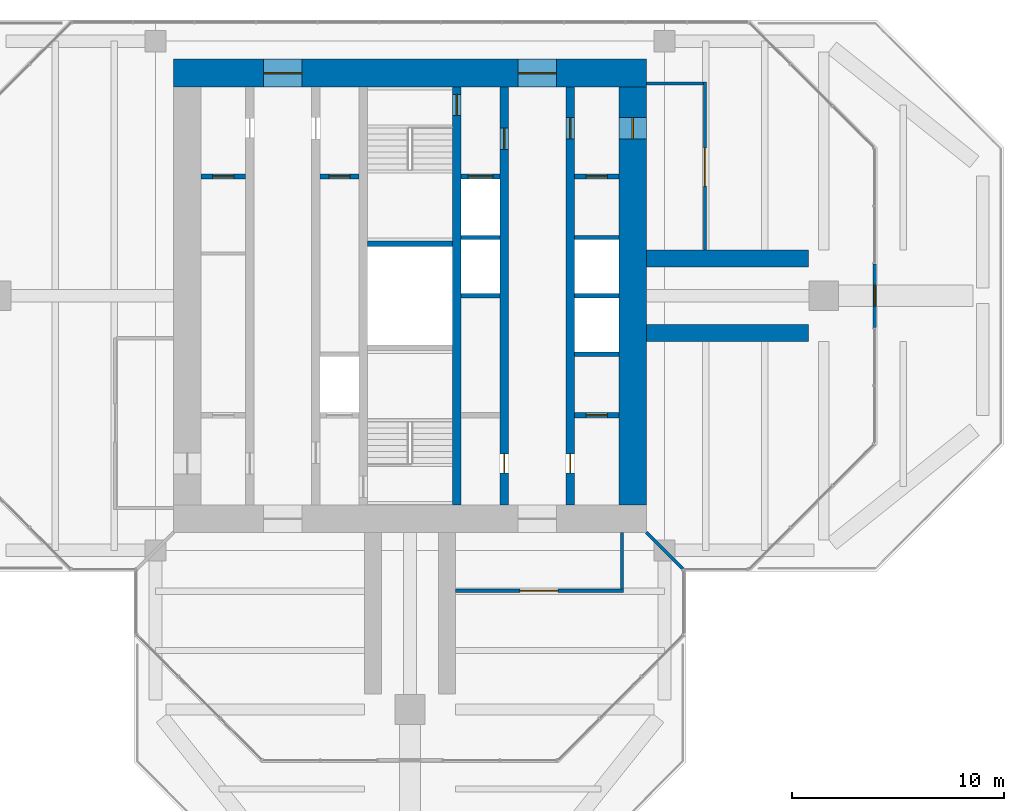
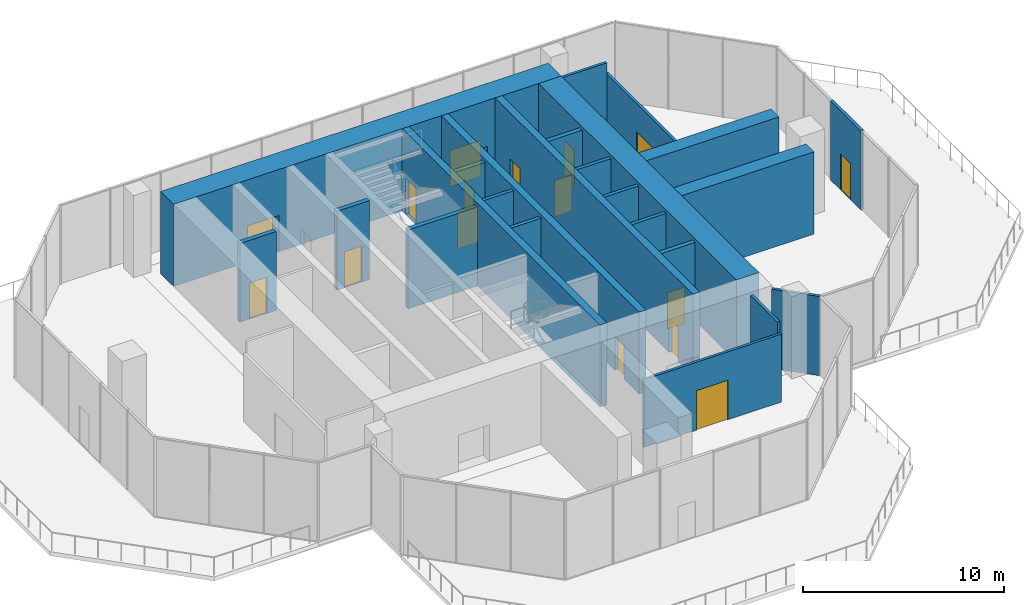
# One storey, part 10 of 13: 24 walls, 16 doors, 16 openings.
"""IFC4 building model written with IfcOpenShell, lengths in metres."""

from ifc_helpers import new_model, si_unit, direction, frame, frame_2d, origin, place, context, subcontext, project, spatial, rectangle, extrude, material, layer, layer_set, type_object, element, fill, save


model = new_model("IFC4")

# Units and contexts
model_context = context("Model", 3, precision=1e-05, world=origin(), true_north=direction((0.0, 1.0)))
body_context = subcontext(model_context, "Body", "Model", "MODEL_VIEW")
ifc_project = project(units=[si_unit("LENGTHUNIT", "METRE"), si_unit("AREAUNIT", "SQUARE_METRE"), si_unit("VOLUMEUNIT", "CUBIC_METRE"), si_unit("PLANEANGLEUNIT", "RADIAN"), si_unit("MASSUNIT", "GRAM", prefix="KILO")], contexts=[model_context])

# Site, building, storey
site_placement = place(None, origin())
site = spatial("IfcSite", under=ifc_project, at=site_placement, CompositionType="ELEMENT")
building_placement = place(site_placement, origin())
building = spatial("IfcBuilding", under=site, at=building_placement, Name="Mizan Broadcast Tower", CompositionType="ELEMENT")
storey_placement = place(building_placement, frame((0.0, 0.0, 306.300048828125)))
storey = spatial("IfcBuildingStorey", under=building, at=storey_placement, Name="L73", CompositionType="ELEMENT", Elevation=306.300048828125)

# Wall, openings, doors
ifc_material_1 = material(Name="Concrete C70/85", Category="concrete")
ifc_layer_1 = layer(ifc_material_1, 0.39990234375)
ifc_layer_set_1 = layer_set([ifc_layer_1], Name="Concrete C70/85")
wall_type_1 = type_object("IfcWallType", Name="CORE INTERNAL WALL 400", PredefinedType="SHEAR", material=ifc_layer_set_1)
wall_1_placement = place(storey_placement, frame((7.550048828125, 9.85009765625, 0.0), z_axis=(0.0, 0.0, 1.0), x_axis=(0.0, -1.0, 0.0)))
wall_1 = element("IfcWall", 1, at=wall_1_placement, inside=storey, type_object=wall_type_1, Name="Core wall CORE/XW1E", PredefinedType="SHEAR", context=body_context, shape_type="SweptSolid", body=[
    extrude(rectangle(XDim=19.7001953125, YDim=0.39990234375, at=frame_2d((9.85009765625, 0.0))), origin(), (0.0, 0.0, 1.0), 5.0),
])
opening_1_placement = place(wall_1_placement, frame((1.449951171875, 0.0, 0.0)))
opening_1 = element("IfcOpeningElement", 2, at=opening_1_placement, cuts=wall_1, Name="Opening D10F", PredefinedType="OPENING", context=body_context, shape_type="SweptSolid", body=[
    extrude(rectangle(XDim=1.0, YDim=2.199951171875, at=frame_2d((0.5, 1.10009765625))), frame((0.0, 0.2099609375, 0.0), z_axis=(0.0, -1.0, 0.0), x_axis=(1.0, 0.0, 0.0)), (0.0, 0.0, 1.0), 0.419921875),
])
opening_2_placement = place(wall_1_placement, frame((17.300048828125, 0.0, 0.0)))
opening_2 = element("IfcOpeningElement", 3, at=opening_2_placement, cuts=wall_1, Name="Opening D09", PredefinedType="OPENING", context=body_context, shape_type="SweptSolid", body=[
    extrude(rectangle(XDim=0.89990234375, YDim=2.10009765625, at=frame_2d((0.449951171875, 1.050048828125))), frame((0.0, 0.2099609375, 0.0), z_axis=(0.0, -1.0, 0.0), x_axis=(1.0, 0.0, 0.0)), (0.0, 0.0, 1.0), 0.419921875),
])
ifc_material_2 = material(Name="Steel door leaf in steel frame", Category="steel")
door_type_1 = type_object("IfcDoorType", Name="FIRE DOOR 1000 FD90", OperationType="SINGLE_SWING_LEFT", PredefinedType="DOOR", material=ifc_material_2)
door_1_placement = place(opening_1_placement, origin())
door_1 = element("IfcDoor", 4, at=door_1_placement, inside=storey, type_object=door_type_1, Name="East core passage door", OperationType="SINGLE_SWING_LEFT", OverallHeight=2.199951171875, OverallWidth=1.0, PredefinedType="DOOR", context=body_context, shape_type="SweptSolid", body=[
    extrude(rectangle(XDim=1.0, YDim=2.199951171875, at=frame_2d((0.5, 1.10009765625))), frame((0.0, 0.02490234375, 0.0), z_axis=(0.0, -1.0, 0.0), x_axis=(1.0, 0.0, 0.0)), (0.0, 0.0, 1.0), 0.050048828125),
])
fill(opening_1, door_1)
ifc_material_3 = material(Name="Timber door leaf in aluminium frame", Category="wood")
door_type_2 = type_object("IfcDoorType", Name="TOILET DOOR 900", OperationType="SINGLE_SWING_LEFT", PredefinedType="DOOR", material=ifc_material_3)
door_2_placement = place(opening_2_placement, origin())
door_2 = element("IfcDoor", 5, at=door_2_placement, inside=storey, type_object=door_type_2, Name="Female WC door", OperationType="SINGLE_SWING_RIGHT", OverallHeight=2.10009765625, OverallWidth=0.89990234375, PredefinedType="DOOR", context=body_context, shape_type="SweptSolid", body=[
    extrude(rectangle(XDim=0.89990234375, YDim=2.10009765625, at=frame_2d((0.449951171875, 1.050048828125))), frame((0.0, 0.02490234375, 0.0), z_axis=(0.0, -1.0, 0.0), x_axis=(1.0, 0.0, 0.0)), (0.0, 0.0, 1.0), 0.050048828125),
])
fill(opening_2, door_2)

wall_2_placement = place(storey_placement, frame((4.449951171875, 9.85009765625, 0.0), z_axis=(0.0, 0.0, 1.0), x_axis=(0.0, -1.0, 0.0)))
wall_2 = element("IfcWall", 6, at=wall_2_placement, inside=storey, type_object=wall_type_1, Name="Core wall CORE/XWHE", PredefinedType="SHEAR", context=body_context, shape_type="SweptSolid", body=[
    extrude(rectangle(XDim=19.7001953125, YDim=0.39990234375, at=frame_2d((9.85009765625, 0.0))), origin(), (0.0, 0.0, 1.0), 5.0),
])
opening_3_placement = place(wall_2_placement, frame((1.949951171875, 0.0, 0.0)))
opening_3 = element("IfcOpeningElement", 7, at=opening_3_placement, cuts=wall_2, Name="Opening D10F", PredefinedType="OPENING", context=body_context, shape_type="SweptSolid", body=[
    extrude(rectangle(XDim=1.0, YDim=2.199951171875, at=frame_2d((0.5, 1.10009765625))), frame((0.0, 0.2099609375, 0.0), z_axis=(0.0, -1.0, 0.0), x_axis=(1.0, 0.0, 0.0)), (0.0, 0.0, 1.0), 0.419921875),
])
opening_4_placement = place(wall_2_placement, frame((17.300048828125, 0.0, 0.0)))
opening_4 = element("IfcOpeningElement", 8, at=opening_4_placement, cuts=wall_2, Name="Opening D09", PredefinedType="OPENING", context=body_context, shape_type="SweptSolid", body=[
    extrude(rectangle(XDim=0.89990234375, YDim=2.10009765625, at=frame_2d((0.449951171875, 1.050048828125))), frame((0.0, 0.2099609375, 0.0), z_axis=(0.0, -1.0, 0.0), x_axis=(1.0, 0.0, 0.0)), (0.0, 0.0, 1.0), 0.419921875),
])
door_3_placement = place(opening_3_placement, origin())
door_3 = element("IfcDoor", 9, at=door_3_placement, inside=storey, type_object=door_type_1, Name="Firefighting lobby B door", OperationType="SINGLE_SWING_LEFT", OverallHeight=2.199951171875, OverallWidth=1.0, PredefinedType="DOOR", context=body_context, shape_type="SweptSolid", body=[
    extrude(rectangle(XDim=1.0, YDim=2.199951171875, at=frame_2d((0.5, 1.10009765625))), frame((0.0, 0.02490234375, 0.0), z_axis=(0.0, -1.0, 0.0), x_axis=(1.0, 0.0, 0.0)), (0.0, 0.0, 1.0), 0.050048828125),
])
fill(opening_3, door_3)
door_4_placement = place(opening_4_placement, origin())
door_4 = element("IfcDoor", 10, at=door_4_placement, inside=storey, type_object=door_type_2, Name="Cleaner's store door", OperationType="SINGLE_SWING_RIGHT", OverallHeight=2.10009765625, OverallWidth=0.89990234375, PredefinedType="DOOR", context=body_context, shape_type="SweptSolid", body=[
    extrude(rectangle(XDim=0.89990234375, YDim=2.10009765625, at=frame_2d((0.449951171875, 1.050048828125))), frame((0.0, 0.02490234375, 0.0), z_axis=(0.0, -1.0, 0.0), x_axis=(1.0, 0.0, 0.0)), (0.0, 0.0, 1.0), 0.050048828125),
])
fill(opening_4, door_4)

# Wall, opening, door
wall_3_placement = place(storey_placement, frame((2.199951171875, 9.85009765625, 0.0), z_axis=(0.0, 0.0, 1.0), x_axis=(0.0, -1.0, 0.0)))
wall_3 = element("IfcWall", 11, at=wall_3_placement, inside=storey, type_object=wall_type_1, Name="Core wall CORE/XW2E", PredefinedType="SHEAR", context=body_context, shape_type="SweptSolid", body=[
    extrude(rectangle(XDim=19.7001953125, YDim=0.39990234375, at=frame_2d((9.85009765625, 0.0))), origin(), (0.0, 0.0, 1.0), 5.0),
])
opening_5_placement = place(wall_3_placement, frame((0.35009765625, 0.0, 0.0)))
opening_5 = element("IfcOpeningElement", 12, at=opening_5_placement, cuts=wall_3, Name="Opening D10S", PredefinedType="OPENING", context=body_context, shape_type="SweptSolid", body=[
    extrude(rectangle(XDim=1.0, YDim=2.199951171875, at=frame_2d((0.5, 1.10009765625))), frame((0.0, 0.2099609375, 0.0), z_axis=(0.0, -1.0, 0.0), x_axis=(1.0, 0.0, 0.0)), (0.0, 0.0, 1.0), 0.419921875),
])
ifc_material_4 = material(Name="Steel door leaf in steel frame", Category="steel")
door_type_3 = type_object("IfcDoorType", Name="STAIR DOOR 1000 FD90S", OperationType="SINGLE_SWING_RIGHT", PredefinedType="DOOR", material=ifc_material_4)
door_5_placement = place(opening_5_placement, origin())
door_5 = element("IfcDoor", 13, at=door_5_placement, inside=storey, type_object=door_type_3, Name="Stair B door", OperationType="SINGLE_SWING_RIGHT", OverallHeight=2.199951171875, OverallWidth=1.0, PredefinedType="DOOR", context=body_context, shape_type="SweptSolid", body=[
    extrude(rectangle(XDim=1.0, YDim=2.199951171875, at=frame_2d((0.5, 1.10009765625))), frame((0.0, 0.02490234375, 0.0), z_axis=(0.0, -1.0, 0.0), x_axis=(1.0, 0.0, 0.0)), (0.0, 0.0, 1.0), 0.050048828125),
])
fill(opening_5, door_5)

# Wall, openings, doors
ifc_material_5 = material(Name="Concrete C70/85", Category="concrete")
ifc_layer_2 = layer(ifc_material_5, 1.300048828125)
ifc_layer_set_2 = layer_set([ifc_layer_2], Name="Concrete C70/85")
wall_type_2 = type_object("IfcWallType", Name="CORE WALL 1300", PredefinedType="SHEAR", material=ifc_layer_set_2)
wall_4_placement = place(storey_placement, frame((-11.14990234375, 10.5, 0.0), z_axis=(0.0, 0.0, 1.0), x_axis=(1.0, 0.0, 0.0)))
wall_4 = element("IfcWall", 14, at=wall_4_placement, inside=storey, type_object=wall_type_2, Name="Core wall N L73", PredefinedType="SHEAR", context=body_context, shape_type="SweptSolid", body=[
    extrude(rectangle(XDim=22.2998046875, YDim=1.300048828125, at=frame_2d((11.14990234375, 0.0))), origin(), (0.0, 0.0, 1.0), 5.0),
])
opening_6_placement = place(wall_4_placement, frame((4.25, 0.0, 0.0)))
opening_6 = element("IfcOpeningElement", 15, at=opening_6_placement, cuts=wall_4, Name="Opening D18F", PredefinedType="OPENING", context=body_context, shape_type="SweptSolid", body=[
    extrude(rectangle(XDim=1.800048828125, YDim=2.199951171875, at=frame_2d((0.89990234375, 1.10009765625))), frame((0.0, 0.659912109375, 0.0), z_axis=(0.0, -1.0, 0.0), x_axis=(1.0, 0.0, 0.0)), (0.0, 0.0, 1.0), 1.320068359375),
])
opening_7_placement = place(wall_4_placement, frame((16.25, 0.0, 0.0)))
opening_7 = element("IfcOpeningElement", 16, at=opening_7_placement, cuts=wall_4, Name="Opening D18F", PredefinedType="OPENING", context=body_context, shape_type="SweptSolid", body=[
    extrude(rectangle(XDim=1.800048828125, YDim=2.199951171875, at=frame_2d((0.89990234375, 1.10009765625))), frame((0.0, 0.659912109375, 0.0), z_axis=(0.0, -1.0, 0.0), x_axis=(1.0, 0.0, 0.0)), (0.0, 0.0, 1.0), 1.320068359375),
])
ifc_material_6 = material(Name="Steel door leaf in steel frame", Category="steel")
door_type_4 = type_object("IfcDoorType", Name="LOBBY DOUBLE DOOR 1800 FD90", OperationType="DOUBLE_DOOR_DOUBLE_SWING", PredefinedType="DOOR", material=ifc_material_6)
door_6_placement = place(opening_6_placement, origin())
door_6 = element("IfcDoor", 17, at=door_6_placement, inside=storey, type_object=door_type_4, Name="West lift lobby north door", OperationType="DOUBLE_DOOR_DOUBLE_SWING", OverallHeight=2.199951171875, OverallWidth=1.800048828125, PredefinedType="DOOR", context=body_context, shape_type="SweptSolid", body=[
    extrude(rectangle(XDim=1.800048828125, YDim=2.199951171875, at=frame_2d((0.89990234375, 1.10009765625))), frame((0.0, 0.02490234375, 0.0), z_axis=(0.0, -1.0, 0.0), x_axis=(1.0, 0.0, 0.0)), (0.0, 0.0, 1.0), 0.050048828125),
])
fill(opening_6, door_6)
door_7_placement = place(opening_7_placement, origin())
door_7 = element("IfcDoor", 18, at=door_7_placement, inside=storey, type_object=door_type_4, Name="East lift lobby north door", OperationType="DOUBLE_DOOR_DOUBLE_SWING", OverallHeight=2.199951171875, OverallWidth=1.800048828125, PredefinedType="DOOR", context=body_context, shape_type="SweptSolid", body=[
    extrude(rectangle(XDim=1.800048828125, YDim=2.199951171875, at=frame_2d((0.89990234375, 1.10009765625))), frame((0.0, 0.02490234375, 0.0), z_axis=(0.0, -1.0, 0.0), x_axis=(1.0, 0.0, 0.0)), (0.0, 0.0, 1.0), 0.050048828125),
])
fill(opening_7, door_7)

# Wall, opening, door
wall_5_placement = place(storey_placement, frame((10.5, -9.85009765625, 0.0), z_axis=(0.0, 0.0, 1.0), x_axis=(0.0, 1.0, 0.0)))
wall_5 = element("IfcWall", 19, at=wall_5_placement, inside=storey, type_object=wall_type_2, Name="Core wall E L73", PredefinedType="SHEAR", context=body_context, shape_type="SweptSolid", body=[
    extrude(rectangle(XDim=19.7001953125, YDim=1.300048828125, at=frame_2d((9.85009765625, 0.0))), origin(), (0.0, 0.0, 1.0), 5.0),
])
opening_8_placement = place(wall_5_placement, frame((17.25, 0.0, 0.0)))
opening_8 = element("IfcOpeningElement", 20, at=opening_8_placement, cuts=wall_5, Name="Opening D10F", PredefinedType="OPENING", context=body_context, shape_type="SweptSolid", body=[
    extrude(rectangle(XDim=1.0, YDim=2.199951171875, at=frame_2d((0.5, 1.10009765625))), frame((0.0, 0.659912109375, 0.0), z_axis=(0.0, -1.0, 0.0), x_axis=(1.0, 0.0, 0.0)), (0.0, 0.0, 1.0), 1.320068359375),
])
door_8_placement = place(opening_8_placement, origin())
door_8 = element("IfcDoor", 21, at=door_8_placement, inside=storey, type_object=door_type_1, Name="East core passage arm door", OperationType="SINGLE_SWING_RIGHT", OverallHeight=2.199951171875, OverallWidth=1.0, PredefinedType="DOOR", context=body_context, shape_type="SweptSolid", body=[
    extrude(rectangle(XDim=1.0, YDim=2.199951171875, at=frame_2d((0.5, 1.10009765625))), frame((0.0, 0.02490234375, 0.0), z_axis=(0.0, -1.0, 0.0), x_axis=(1.0, 0.0, 0.0)), (0.0, 0.0, 1.0), 0.050048828125),
])
fill(opening_8, door_8)

ifc_material_7 = material(Name="Aluminium framed glazed screen", Category="aluminium")
ifc_layer_3 = layer(ifc_material_7, 0.159912109375)
ifc_layer_set_3 = layer_set([ifc_layer_3], Name="Aluminium framed glazed screen")
wall_type_3 = type_object("IfcWallType", Name="GLAZED SCREEN WALL 160", PredefinedType="SOLIDWALL", material=ifc_layer_set_3)
wall_6_placement = place(storey_placement, frame((21.89990234375, -1.5, 0.0), z_axis=(0.0, 0.0, 1.0), x_axis=(0.0, 1.0, 0.0)))
wall_6 = element("IfcWall", 22, at=wall_6_placement, inside=storey, type_object=wall_type_3, Name="Roof access screen wall L73 E", PredefinedType="SOLIDWALL", context=body_context, shape_type="SweptSolid", body=[
    extrude(rectangle(XDim=3.0, YDim=0.159912109375, at=frame_2d((1.5, 0.0))), origin(), (0.0, 0.0, 1.0), 4.820068359375),
])
opening_9_placement = place(wall_6_placement, frame((1.0, 0.0, 0.0)))
opening_9 = element("IfcOpeningElement", 23, at=opening_9_placement, cuts=wall_6, Name="Opening RA", PredefinedType="OPENING", context=body_context, shape_type="SweptSolid", body=[
    extrude(rectangle(XDim=1.0, YDim=2.199951171875, at=frame_2d((0.5, 1.10009765625))), frame((0.0, 0.08984375, 0.0), z_axis=(0.0, -1.0, 0.0), x_axis=(1.0, 0.0, 0.0)), (0.0, 0.0, 1.0), 0.179931640625),
])
ifc_material_8 = material(Name="Steel door", Category="steel")
door_type_5 = type_object("IfcDoorType", Name="ROOF ACCESS DOOR 1000", OperationType="SINGLE_SWING_LEFT", PredefinedType="DOOR", material=ifc_material_8)
door_9_placement = place(opening_9_placement, origin())
door_9 = element("IfcDoor", 24, at=door_9_placement, inside=storey, type_object=door_type_5, Name="Roof access door L73 E", OperationType="SINGLE_SWING_LEFT", OverallHeight=2.199951171875, OverallWidth=1.0, PredefinedType="DOOR", context=body_context, shape_type="SweptSolid", body=[
    extrude(rectangle(XDim=1.0, YDim=2.199951171875, at=frame_2d((0.5, 1.10009765625))), frame((0.0, 0.02490234375, 0.0), z_axis=(0.0, -1.0, 0.0), x_axis=(1.0, 0.0, 0.0)), (0.0, 0.0, 1.0), 0.050048828125),
])
fill(opening_9, door_9)

# Walls
ifc_material_9 = material(Name="Concrete blockwork", Category="masonry")
ifc_layer_4 = layer(ifc_material_9, 0.199951171875)
ifc_layer_set_4 = layer_set([ifc_layer_4], Name="Concrete blockwork")
wall_type_4 = type_object("IfcWallType", Name="LIFT SHAFT WALL 200", PredefinedType="SOLIDWALL", material=ifc_layer_set_4)
wall_7_placement = place(storey_placement, frame((7.75, -2.75, 0.0), z_axis=(0.0, 0.0, 1.0), x_axis=(1.0, 0.0, 0.0)))
element("IfcWall", 25, at=wall_7_placement, inside=storey, type_object=wall_type_4, Name="Lift shaft wall CORE/SE1-1", PredefinedType="SOLIDWALL", context=body_context, shape_type="SweptSolid", body=[
    extrude(rectangle(XDim=2.10009765625, YDim=0.199951171875, at=frame_2d((1.050048828125, 0.0))), origin(), (0.0, 0.0, 1.0), 4.800048828125),
])
wall_8_placement = place(storey_placement, frame((2.39990234375, 0.0, 0.0), z_axis=(0.0, 0.0, 1.0), x_axis=(1.0, 0.0, 0.0)))
element("IfcWall", 26, at=wall_8_placement, inside=storey, type_object=wall_type_4, Name="Lift shaft wall CORE/SE2-2", PredefinedType="SOLIDWALL", context=body_context, shape_type="SweptSolid", body=[
    extrude(rectangle(XDim=1.85009765625, YDim=0.199951171875, at=frame_2d((0.925048828125, 0.0))), origin(), (0.0, 0.0, 1.0), 4.800048828125),
])
wall_9_placement = place(storey_placement, frame((7.75, 0.0, 0.0), z_axis=(0.0, 0.0, 1.0), x_axis=(1.0, 0.0, 0.0)))
element("IfcWall", 27, at=wall_9_placement, inside=storey, type_object=wall_type_4, Name="Lift shaft wall CORE/SE1-2", PredefinedType="SOLIDWALL", context=body_context, shape_type="SweptSolid", body=[
    extrude(rectangle(XDim=2.10009765625, YDim=0.199951171875, at=frame_2d((1.050048828125, 0.0))), origin(), (0.0, 0.0, 1.0), 4.800048828125),
])
wall_10_placement = place(storey_placement, frame((2.39990234375, 2.75, 0.0), z_axis=(0.0, 0.0, 1.0), x_axis=(1.0, 0.0, 0.0)))
element("IfcWall", 28, at=wall_10_placement, inside=storey, type_object=wall_type_4, Name="Lift shaft wall CORE/SE2-3", PredefinedType="SOLIDWALL", context=body_context, shape_type="SweptSolid", body=[
    extrude(rectangle(XDim=1.85009765625, YDim=0.199951171875, at=frame_2d((0.925048828125, 0.0))), origin(), (0.0, 0.0, 1.0), 4.800048828125),
])
wall_11_placement = place(storey_placement, frame((7.75, 2.75, 0.0), z_axis=(0.0, 0.0, 1.0), x_axis=(1.0, 0.0, 0.0)))
element("IfcWall", 29, at=wall_11_placement, inside=storey, type_object=wall_type_4, Name="Lift shaft wall CORE/SE1-3", PredefinedType="SOLIDWALL", context=body_context, shape_type="SweptSolid", body=[
    extrude(rectangle(XDim=2.10009765625, YDim=0.199951171875, at=frame_2d((1.050048828125, 0.0))), origin(), (0.0, 0.0, 1.0), 4.800048828125),
])

# Wall, opening, door
ifc_material_10 = material(Name="Concrete blockwork", Category="masonry")
ifc_layer_5 = layer(ifc_material_10, 0.25)
ifc_layer_set_5 = layer_set([ifc_layer_5], Name="Concrete blockwork")
wall_type_5 = type_object("IfcWallType", Name="LOBBY ENCLOSURE WALL 250", PredefinedType="SOLIDWALL", material=ifc_layer_set_5)
wall_12_placement = place(storey_placement, frame((-9.85009765625, 5.625, 0.0), z_axis=(0.0, 0.0, 1.0), x_axis=(1.0, 0.0, 0.0)))
wall_12 = element("IfcWall", 30, at=wall_12_placement, inside=storey, type_object=wall_type_5, Name="Lobby enclosure wall CORE/BW1N", PredefinedType="SOLIDWALL", context=body_context, shape_type="SweptSolid", body=[
    extrude(rectangle(XDim=2.10009765625, YDim=0.25, at=frame_2d((1.050048828125, 0.0))), origin(), (0.0, 0.0, 1.0), 4.800048828125),
])
opening_10_placement = place(wall_12_placement, frame((0.550048828125, 0.0, 0.0)))
opening_10 = element("IfcOpeningElement", 31, at=opening_10_placement, cuts=wall_12, Name="Opening D10F", PredefinedType="OPENING", context=body_context, shape_type="SweptSolid", body=[
    extrude(rectangle(XDim=1.0, YDim=2.199951171875, at=frame_2d((0.5, 1.10009765625))), frame((0.0, 0.135009765625, 0.0), z_axis=(0.0, -1.0, 0.0), x_axis=(1.0, 0.0, 0.0)), (0.0, 0.0, 1.0), 0.27001953125),
])
door_10_placement = place(opening_10_placement, origin())
door_10 = element("IfcDoor", 32, at=door_10_placement, inside=storey, type_object=door_type_1, Name="Tool store door", OperationType="SINGLE_SWING_RIGHT", OverallHeight=2.199951171875, OverallWidth=1.0, PredefinedType="DOOR", context=body_context, shape_type="SweptSolid", body=[
    extrude(rectangle(XDim=1.0, YDim=2.199951171875, at=frame_2d((0.5, 1.10009765625))), frame((0.0, 0.02490234375, 0.0), z_axis=(0.0, -1.0, 0.0), x_axis=(1.0, 0.0, 0.0)), (0.0, 0.0, 1.0), 0.050048828125),
])
fill(opening_10, door_10)

wall_13_placement = place(storey_placement, frame((-4.25, 5.625, 0.0), z_axis=(0.0, 0.0, 1.0), x_axis=(1.0, 0.0, 0.0)))
wall_13 = element("IfcWall", 33, at=wall_13_placement, inside=storey, type_object=wall_type_5, Name="Lobby enclosure wall CORE/BW2N", PredefinedType="SOLIDWALL", context=body_context, shape_type="SweptSolid", body=[
    extrude(rectangle(XDim=1.85009765625, YDim=0.25, at=frame_2d((0.925048828125, 0.0))), origin(), (0.0, 0.0, 1.0), 4.800048828125),
])
opening_11_placement = place(wall_13_placement, frame((0.425048828125, 0.0, 0.0)))
opening_11 = element("IfcOpeningElement", 34, at=opening_11_placement, cuts=wall_13, Name="Opening D10F", PredefinedType="OPENING", context=body_context, shape_type="SweptSolid", body=[
    extrude(rectangle(XDim=1.0, YDim=2.199951171875, at=frame_2d((0.5, 1.10009765625))), frame((0.0, 0.135009765625, 0.0), z_axis=(0.0, -1.0, 0.0), x_axis=(1.0, 0.0, 0.0)), (0.0, 0.0, 1.0), 0.27001953125),
])
door_11_placement = place(opening_11_placement, origin())
door_11 = element("IfcDoor", 35, at=door_11_placement, inside=storey, type_object=door_type_1, Name="Pressurisation plant room door", OperationType="SINGLE_SWING_RIGHT", OverallHeight=2.199951171875, OverallWidth=1.0, PredefinedType="DOOR", context=body_context, shape_type="SweptSolid", body=[
    extrude(rectangle(XDim=1.0, YDim=2.199951171875, at=frame_2d((0.5, 1.10009765625))), frame((0.0, 0.02490234375, 0.0), z_axis=(0.0, -1.0, 0.0), x_axis=(1.0, 0.0, 0.0)), (0.0, 0.0, 1.0), 0.050048828125),
])
fill(opening_11, door_11)

wall_14_placement = place(storey_placement, frame((2.39990234375, 5.625, 0.0), z_axis=(0.0, 0.0, 1.0), x_axis=(1.0, 0.0, 0.0)))
wall_14 = element("IfcWall", 36, at=wall_14_placement, inside=storey, type_object=wall_type_5, Name="Lobby enclosure wall CORE/BE2N", PredefinedType="SOLIDWALL", context=body_context, shape_type="SweptSolid", body=[
    extrude(rectangle(XDim=1.85009765625, YDim=0.25, at=frame_2d((0.925048828125, 0.0))), origin(), (0.0, 0.0, 1.0), 4.800048828125),
])
opening_12_placement = place(wall_14_placement, frame((0.324951171875, 0.0, 0.0)))
opening_12 = element("IfcOpeningElement", 37, at=opening_12_placement, cuts=wall_14, Name="Opening LDF", PredefinedType="OPENING", context=body_context, shape_type="SweptSolid", body=[
    extrude(rectangle(XDim=1.199951171875, YDim=2.199951171875, at=frame_2d((0.60009765625, 1.10009765625))), frame((0.0, 0.135009765625, 0.0), z_axis=(0.0, -1.0, 0.0), x_axis=(1.0, 0.0, 0.0)), (0.0, 0.0, 1.0), 0.27001953125),
])
ifc_material_11 = material(Name="Steel door leaf in steel frame", Category="steel")
door_type_6 = type_object("IfcDoorType", Name="FIREFIGHTING LIFT LANDING DOOR 1200", OperationType="SLIDING_TO_LEFT", PredefinedType="DOOR", material=ifc_material_11)
door_12_placement = place(opening_12_placement, origin())
door_12 = element("IfcDoor", 38, at=door_12_placement, inside=storey, type_object=door_type_6, Name="Landing door FF2", OperationType="SLIDING_TO_LEFT", OverallHeight=2.199951171875, OverallWidth=1.199951171875, PredefinedType="DOOR", context=body_context, shape_type="SweptSolid", body=[
    extrude(rectangle(XDim=1.199951171875, YDim=2.199951171875, at=frame_2d((0.60009765625, 1.10009765625))), frame((0.0, 0.02490234375, 0.0), z_axis=(0.0, -1.0, 0.0), x_axis=(1.0, 0.0, 0.0)), (0.0, 0.0, 1.0), 0.050048828125),
])
fill(opening_12, door_12)

wall_15_placement = place(storey_placement, frame((7.75, 5.625, 0.0), z_axis=(0.0, 0.0, 1.0), x_axis=(1.0, 0.0, 0.0)))
wall_15 = element("IfcWall", 39, at=wall_15_placement, inside=storey, type_object=wall_type_5, Name="Lobby enclosure wall CORE/BE1N", PredefinedType="SOLIDWALL", context=body_context, shape_type="SweptSolid", body=[
    extrude(rectangle(XDim=2.10009765625, YDim=0.25, at=frame_2d((1.050048828125, 0.0))), origin(), (0.0, 0.0, 1.0), 4.800048828125),
])
opening_13_placement = place(wall_15_placement, frame((0.550048828125, 0.0, 0.0)))
opening_13 = element("IfcOpeningElement", 40, at=opening_13_placement, cuts=wall_15, Name="Opening D10F", PredefinedType="OPENING", context=body_context, shape_type="SweptSolid", body=[
    extrude(rectangle(XDim=1.0, YDim=2.199951171875, at=frame_2d((0.5, 1.10009765625))), frame((0.0, 0.135009765625, 0.0), z_axis=(0.0, -1.0, 0.0), x_axis=(1.0, 0.0, 0.0)), (0.0, 0.0, 1.0), 0.27001953125),
])
door_13_placement = place(opening_13_placement, origin())
door_13 = element("IfcDoor", 41, at=door_13_placement, inside=storey, type_object=door_type_1, Name="Plant spares store door", OperationType="SINGLE_SWING_LEFT", OverallHeight=2.199951171875, OverallWidth=1.0, PredefinedType="DOOR", context=body_context, shape_type="SweptSolid", body=[
    extrude(rectangle(XDim=1.0, YDim=2.199951171875, at=frame_2d((0.5, 1.10009765625))), frame((0.0, 0.02490234375, 0.0), z_axis=(0.0, -1.0, 0.0), x_axis=(1.0, 0.0, 0.0)), (0.0, 0.0, 1.0), 0.050048828125),
])
fill(opening_13, door_13)

wall_16_placement = place(storey_placement, frame((7.75, -5.625, 0.0), z_axis=(0.0, 0.0, 1.0), x_axis=(1.0, 0.0, 0.0)))
wall_16 = element("IfcWall", 42, at=wall_16_placement, inside=storey, type_object=wall_type_5, Name="Lobby enclosure wall CORE/BE1S", PredefinedType="SOLIDWALL", context=body_context, shape_type="SweptSolid", body=[
    extrude(rectangle(XDim=2.10009765625, YDim=0.25, at=frame_2d((1.050048828125, 0.0))), origin(), (0.0, 0.0, 1.0), 4.800048828125),
])
opening_14_placement = place(wall_16_placement, frame((0.550048828125, 0.0, 0.0)))
opening_14 = element("IfcOpeningElement", 43, at=opening_14_placement, cuts=wall_16, Name="Opening D10F", PredefinedType="OPENING", context=body_context, shape_type="SweptSolid", body=[
    extrude(rectangle(XDim=1.0, YDim=2.199951171875, at=frame_2d((0.5, 1.10009765625))), frame((0.0, 0.135009765625, 0.0), z_axis=(0.0, -1.0, 0.0), x_axis=(1.0, 0.0, 0.0)), (0.0, 0.0, 1.0), 0.27001953125),
])
door_14_placement = place(opening_14_placement, origin())
door_14 = element("IfcDoor", 44, at=door_14_placement, inside=storey, type_object=door_type_1, Name="Engineer's store door", OperationType="SINGLE_SWING_LEFT", OverallHeight=2.199951171875, OverallWidth=1.0, PredefinedType="DOOR", context=body_context, shape_type="SweptSolid", body=[
    extrude(rectangle(XDim=1.0, YDim=2.199951171875, at=frame_2d((0.5, 1.10009765625))), frame((0.0, 0.02490234375, 0.0), z_axis=(0.0, -1.0, 0.0), x_axis=(1.0, 0.0, 0.0)), (0.0, 0.0, 1.0), 0.050048828125),
])
fill(opening_14, door_14)

# Walls
wall_17_placement = place(storey_placement, frame((-2.0, 2.449951171875, 0.0), z_axis=(0.0, 0.0, 1.0), x_axis=(1.0, 0.0, 0.0)))
element("IfcWall", 45, at=wall_17_placement, inside=storey, type_object=wall_type_5, Name="Lobby enclosure wall CORE/STB", PredefinedType="SOLIDWALL", context=body_context, shape_type="SweptSolid", body=[
    extrude(rectangle(XDim=4.0, YDim=0.25, at=frame_2d((2.0, 0.0))), origin(), (0.0, 0.0, 1.0), 4.800048828125),
])
ifc_material_12 = material(Name="Gypsum board on steel studs", Category="steel")
ifc_layer_6 = layer(ifc_material_12, 0.14990234375)
ifc_layer_set_6 = layer_set([ifc_layer_6], Name="Gypsum board on steel studs")
wall_type_6 = type_object("IfcWallType", Name="PARTITION 150", PredefinedType="PARTITIONING", material=ifc_layer_set_6)
wall_18_placement = place(storey_placement, frame((11.14990234375, -11.14990234375, 0.0), z_axis=(0.0, 0.0, 1.0), x_axis=(0.707106781187, -0.707106781187, 0.0)))
element("IfcWall", 46, at=wall_18_placement, inside=storey, type_object=wall_type_6, Name="Partition PT/DGES", PredefinedType="PARTITIONING", context=body_context, shape_type="SweptSolid", body=[
    extrude(rectangle(XDim=2.460693359375, YDim=0.14990234375, at=frame_2d((1.23046875, 0.0))), origin(), (0.0, 0.0, 1.0), 4.820068359375),
])

# Wall, opening, door
ifc_material_13 = material(Name="Concrete blockwork", Category="masonry")
ifc_layer_7 = layer(ifc_material_13, 0.14990234375)
ifc_layer_set_7 = layer_set([ifc_layer_7], Name="Concrete blockwork")
wall_type_7 = type_object("IfcWallType", Name="PLANT ROOM ENCLOSURE WALL 150", PredefinedType="SOLIDWALL", material=ifc_layer_set_7)
wall_19_placement = place(storey_placement, frame((13.89990234375, 2.14990234375, 0.0), z_axis=(0.0, 0.0, 1.0), x_axis=(0.0, 1.0, 0.0)))
wall_19 = element("IfcWall", 47, at=wall_19_placement, inside=storey, type_object=wall_type_7, Name="Plant room wall PT/ELU", PredefinedType="SOLIDWALL", context=body_context, shape_type="SweptSolid", body=[
    extrude(rectangle(XDim=7.925048828125, YDim=0.14990234375, at=frame_2d((3.96240234375, 0.0))), origin(), (0.0, 0.0, 1.0), 4.1298828125),
])
opening_15_placement = place(wall_19_placement, frame((3.02490234375, 0.0, 0.0)))
opening_15 = element("IfcOpeningElement", 48, at=opening_15_placement, cuts=wall_19, Name="Opening D18P", PredefinedType="OPENING", context=body_context, shape_type="SweptSolid", body=[
    extrude(rectangle(XDim=1.800048828125, YDim=2.39990234375, at=frame_2d((0.89990234375, 1.199951171875))), frame((0.0, 0.0849609375, 0.0), z_axis=(0.0, -1.0, 0.0), x_axis=(1.0, 0.0, 0.0)), (0.0, 0.0, 1.0), 0.169921875),
])
ifc_material_14 = material(Name="Steel door leaf in steel frame", Category="steel")
door_type_7 = type_object("IfcDoorType", Name="PLANT ROOM DOUBLE DOOR 1800x2400 FD90", OperationType="DOUBLE_DOOR_DOUBLE_SWING", PredefinedType="DOOR", material=ifc_material_14)
door_15_placement = place(opening_15_placement, origin())
door_15 = element("IfcDoor", 49, at=door_15_placement, inside=storey, type_object=door_type_7, Name="Chiller plant room door", OperationType="DOUBLE_DOOR_DOUBLE_SWING", OverallHeight=2.39990234375, OverallWidth=1.800048828125, PredefinedType="DOOR", context=body_context, shape_type="SweptSolid", body=[
    extrude(rectangle(XDim=1.800048828125, YDim=2.39990234375, at=frame_2d((0.89990234375, 1.199951171875))), frame((0.0, 0.02490234375, 0.0), z_axis=(0.0, -1.0, 0.0), x_axis=(1.0, 0.0, 0.0)), (0.0, 0.0, 1.0), 0.050048828125),
])
fill(opening_15, door_15)

# Wall
wall_20_placement = place(storey_placement, frame((11.14990234375, 10.0, 0.0), z_axis=(0.0, 0.0, 1.0), x_axis=(1.0, 0.0, 0.0)))
element("IfcWall", 50, at=wall_20_placement, inside=storey, type_object=wall_type_7, Name="Plant room wall PT/ELV", PredefinedType="SOLIDWALL", context=body_context, shape_type="SweptSolid", body=[
    extrude(rectangle(XDim=2.675048828125, YDim=0.14990234375, at=frame_2d((1.33740234375, 0.0))), origin(), (0.0, 0.0, 1.0), 4.820068359375),
])

# Wall, opening, door
wall_21_placement = place(storey_placement, frame((2.14990234375, -13.89990234375, 0.0), z_axis=(0.0, 0.0, 1.0), x_axis=(1.0, 0.0, 0.0)))
wall_21 = element("IfcWall", 51, at=wall_21_placement, inside=storey, type_object=wall_type_7, Name="Plant room wall PT/SLU", PredefinedType="SOLIDWALL", context=body_context, shape_type="SweptSolid", body=[
    extrude(rectangle(XDim=7.925048828125, YDim=0.14990234375, at=frame_2d((3.96240234375, 0.0))), origin(), (0.0, 0.0, 1.0), 4.1298828125),
])
opening_16_placement = place(wall_21_placement, frame((3.02490234375, 0.0, 0.0)))
opening_16 = element("IfcOpeningElement", 52, at=opening_16_placement, cuts=wall_21, Name="Opening D18P", PredefinedType="OPENING", context=body_context, shape_type="SweptSolid", body=[
    extrude(rectangle(XDim=1.800048828125, YDim=2.39990234375, at=frame_2d((0.89990234375, 1.199951171875))), frame((0.0, 0.0849609375, 0.0), z_axis=(0.0, -1.0, 0.0), x_axis=(1.0, 0.0, 0.0)), (0.0, 0.0, 1.0), 0.169921875),
])
door_16_placement = place(opening_16_placement, origin())
door_16 = element("IfcDoor", 53, at=door_16_placement, inside=storey, type_object=door_type_7, Name="Air handling plant room door", OperationType="DOUBLE_DOOR_DOUBLE_SWING", OverallHeight=2.39990234375, OverallWidth=1.800048828125, PredefinedType="DOOR", context=body_context, shape_type="SweptSolid", body=[
    extrude(rectangle(XDim=1.800048828125, YDim=2.39990234375, at=frame_2d((0.89990234375, 1.199951171875))), frame((0.0, 0.02490234375, 0.0), z_axis=(0.0, -1.0, 0.0), x_axis=(1.0, 0.0, 0.0)), (0.0, 0.0, 1.0), 0.050048828125),
])
fill(opening_16, door_16)

# Walls
wall_22_placement = place(storey_placement, frame((10.0, -11.14990234375, 0.0), z_axis=(0.0, 0.0, 1.0), x_axis=(0.0, -1.0, 0.0)))
element("IfcWall", 54, at=wall_22_placement, inside=storey, type_object=wall_type_7, Name="Plant room wall PT/SLV", PredefinedType="SOLIDWALL", context=body_context, shape_type="SweptSolid", body=[
    extrude(rectangle(XDim=2.675048828125, YDim=0.14990234375, at=frame_2d((1.33740234375, 0.0))), origin(), (0.0, 0.0, 1.0), 4.820068359375),
])
ifc_material_15 = material(Name="Concrete C70/85", Category="concrete")
ifc_layer_8 = layer(ifc_material_15, 0.800048828125)
ifc_layer_set_8 = layer_set([ifc_layer_8], Name="Concrete C70/85")
wall_type_8 = type_object("IfcWallType", Name="SPINE WALL 800", PredefinedType="SHEAR", material=ifc_layer_set_8)
for number, where, z_axis, x_axis, name in (
    (55, (11.14990234375, -1.75, 0.0), (0.0, 0.0, 1.0), (1.0, 0.0, 0.0), "Spine wall ER L73"),
    (56, (11.14990234375, 1.75, 0.0), (0.0, 0.0, 1.0), (1.0, 0.0, 0.0), "Spine wall EL L73"),
):
    element("IfcWall", number, at=place(storey_placement, frame(where, z_axis=z_axis, x_axis=x_axis)), inside=storey, type_object=wall_type_8, Name=name, PredefinedType="SHEAR", context=body_context, shape_type="SweptSolid", body=[
        extrude(rectangle(XDim=7.625, YDim=0.800048828125, at=frame_2d((3.8125, 0.0))), origin(), (0.0, 0.0, 1.0), 5.0),
    ])

save(model, "model.ifc")
